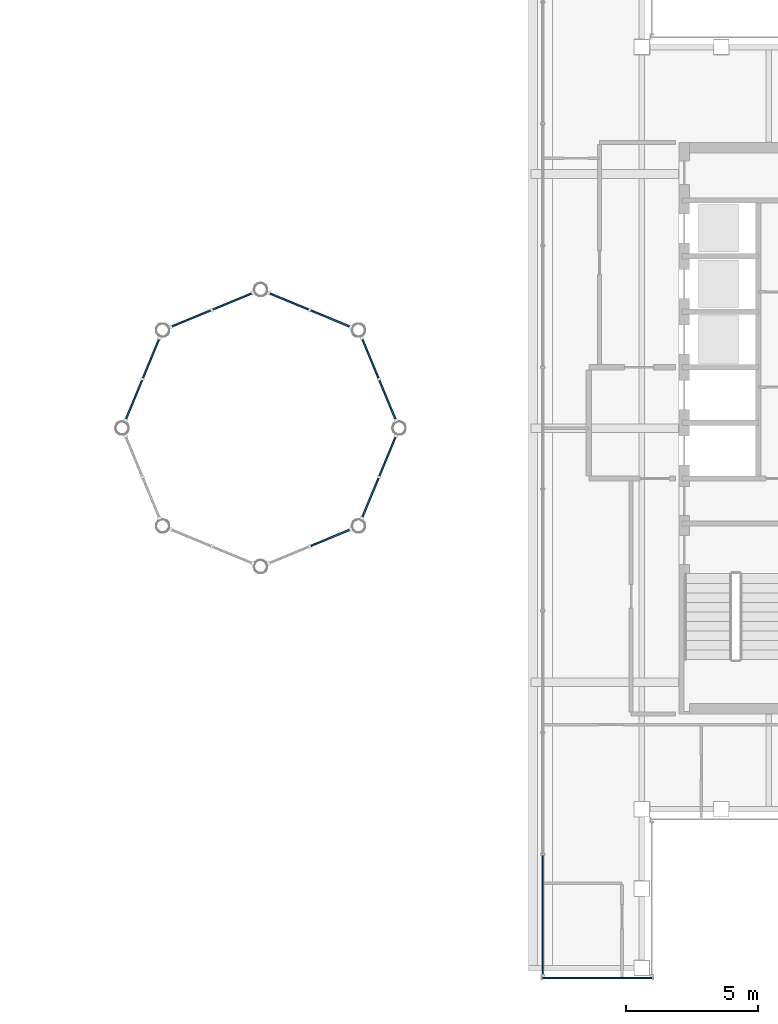
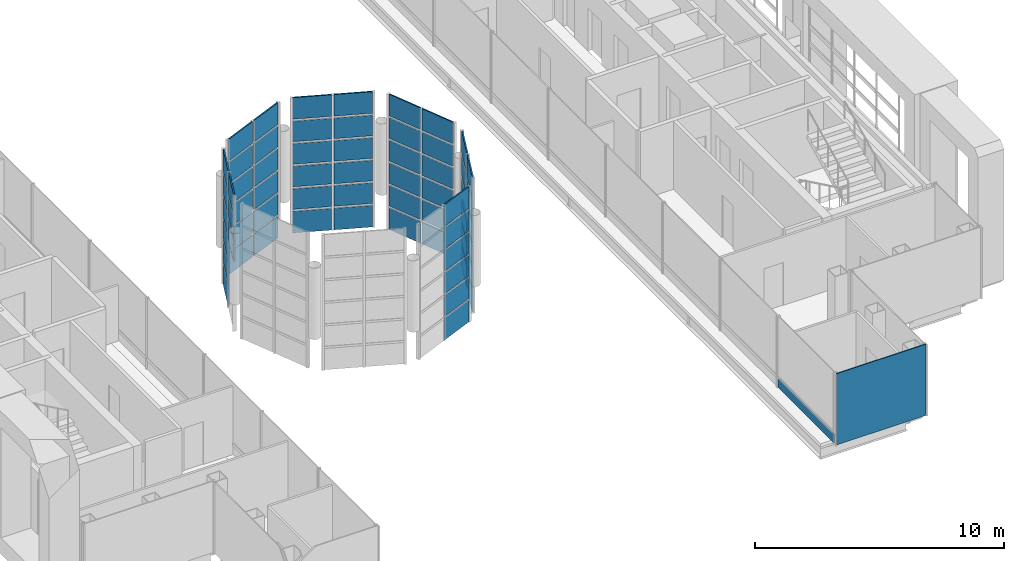
# One storey, part 11 of 21: 65 plates, 8 elements without a shape of their own.
"""IFC4 building model written with IfcOpenShell, lengths in metres."""

from ifc_helpers import new_model, si_unit, direction, frame, origin, origin_2d, place, context, subcontext, project, spatial, rectangle, extrude, material, layer, layer_set, type_object, element, aggregate, save


model = new_model("IFC4")

# Units and contexts
model_context = context("Model", 3, precision=1e-05, world=origin(), true_north=direction((0.0, 1.0)))
body_context = subcontext(model_context, "Body", "Model", "MODEL_VIEW")
ifc_project = project(units=[si_unit("LENGTHUNIT", "METRE"), si_unit("AREAUNIT", "SQUARE_METRE"), si_unit("VOLUMEUNIT", "CUBIC_METRE"), si_unit("PLANEANGLEUNIT", "RADIAN"), si_unit("MASSUNIT", "GRAM", prefix="KILO")], contexts=[model_context])

# Site, building, storey
site_placement = place(None, origin())
site = spatial("IfcSite", under=ifc_project, at=site_placement, CompositionType="ELEMENT")
building_placement = place(site_placement, origin())
building = spatial("IfcBuilding", under=site, at=building_placement, Name="Cobrizo Arcos Hotel Tower", CompositionType="ELEMENT")
storey_placement = place(building_placement, frame((0.0, 0.0, 283.0)))
storey = spatial("IfcBuildingStorey", under=building, at=storey_placement, Name="L75", CompositionType="ELEMENT", Elevation=283.0)

# Curtain wall, plate
ifc_material_1 = material(Name="Aluminium 6063-T6 anodised bronze", Category="aluminium")
curtain_wall_type_1 = type_object("IfcCurtainWallType", Name="CW-A guest facade", PredefinedType="NOTDEFINED", material=ifc_material_1)
curtain_wall_1_placement = place(storey_placement, origin())
curtain_wall_1 = element("IfcCurtainWall", 1, at=curtain_wall_1_placement, inside=storey, type_object=curtain_wall_type_1, Name="CW-A L75 S face", PredefinedType="NOTDEFINED")
ifc_material_2 = material(Name="Aluminium composite panel pale metal", Category="aluminium")
ifc_layer_1 = layer(ifc_material_2, 0.0400390625)
ifc_layer_set_1 = layer_set([ifc_layer_1], Name="CW-A spandrel panel")
plate_type_1 = type_object("IfcPlateType", Name="CW-A spandrel panel", PredefinedType="CURTAIN_PANEL", material=ifc_layer_set_1)
plate_1_placement = place(storey_placement, frame((12.712890625, -20.77490234375, 0.0), z_axis=(0.0, 0.0, 1.0), x_axis=(1.0, 0.0, 0.0)))
plate_1 = element("IfcPlate", 2, at=plate_1_placement, type_object=plate_type_1, Name="CW-A spandrel panel 2368", PredefinedType="CURTAIN_PANEL", context=body_context, shape_type="SweptSolid", body=[
    extrude(rectangle(XDim=4.154052734375, YDim=0.0400390625, at=origin_2d()), origin(), (0.0, 0.0, 1.0), 3.5),
])
aggregate(curtain_wall_1, [plate_1])

curtain_wall_type_2 = type_object("IfcCurtainWallType", Name="CW-C arch infill and crown glazing", PredefinedType="NOTDEFINED", material=ifc_material_1)
curtain_wall_2_placement = place(storey_placement, origin())
curtain_wall_2 = element("IfcCurtainWall", 3, at=curtain_wall_2_placement, inside=storey, type_object=curtain_wall_type_2, Name="CW-C L75 W face", PredefinedType="NOTDEFINED")
ifc_material_3 = material(Name="Glass clear laminated low-e", Category="glass")
ifc_layer_2 = layer(ifc_material_3, 0.0400390625)
ifc_layer_set_2 = layer_set([ifc_layer_2], Name="CW-C glass panel")
plate_type_2 = type_object("IfcPlateType", Name="CW-C glass panel", PredefinedType="CURTAIN_PANEL", material=ifc_layer_set_2)
plate_2_placement = place(storey_placement, frame((10.65087890625, -18.382568359375, 0.0), z_axis=(0.0, 0.0, 1.0), x_axis=(0.0, -1.0, 0.0)))
plate_2 = element("IfcPlate", 4, at=plate_2_placement, type_object=plate_type_2, Name="CW-C glass panel 2367", PredefinedType="CURTAIN_PANEL", context=body_context, shape_type="SweptSolid", body=[
    extrude(rectangle(XDim=4.4951171875, YDim=0.0400390625, at=origin_2d()), origin(), (0.0, 0.0, 1.0), 0.429931640625),
])
aggregate(curtain_wall_2, [plate_2])

# Curtain wall, plates
curtain_wall_type_3 = type_object("IfcCurtainWallType", Name="CW-D plant louvre wall", PredefinedType="NOTDEFINED", material=ifc_material_1)
curtain_wall_3_placement = place(storey_placement, origin())
curtain_wall_3 = element("IfcCurtainWall", 5, at=curtain_wall_3_placement, inside=storey, type_object=curtain_wall_type_3, Name="CW-D drum louvre wall t2-1", PredefinedType="NOTDEFINED")
ifc_layer_3 = layer(ifc_material_2, 0.06005859375)
ifc_layer_set_3 = layer_set([ifc_layer_3], Name="CW-D spandrel panel")
plate_type_3 = type_object("IfcPlateType", Name="CW-D spandrel panel", PredefinedType="CURTAIN_PANEL", material=ifc_layer_set_3)
plate_3_placement = place(storey_placement, frame((4.785400390625, 1.079345703125, -1.666748046875), z_axis=(0.0, 0.0, 1.0), x_axis=(-0.382683432365, 0.923879532511, 0.0)))
plate_3 = element("IfcPlate", 6, at=plate_3_placement, type_object=plate_type_3, Name="CW-D louvre panel 1-0", PredefinedType="CURTAIN_PANEL", context=body_context, shape_type="SweptSolid", body=[
    extrude(rectangle(XDim=1.568359375, YDim=0.06005859375, at=origin_2d()), origin(), (0.0, 0.0, 1.0), 1.0556640625),
])
plate_4_placement = place(storey_placement, frame((4.785400390625, 1.079345703125, -0.51123046875), z_axis=(0.0, 0.0, 1.0), x_axis=(-0.382683432365, 0.923879532511, 0.0)))
plate_4 = element("IfcPlate", 7, at=plate_4_placement, type_object=plate_type_3, Name="CW-D louvre panel 1-1", PredefinedType="CURTAIN_PANEL", context=body_context, shape_type="SweptSolid", body=[
    extrude(rectangle(XDim=1.568359375, YDim=0.06005859375, at=origin_2d()), origin(), (0.0, 0.0, 1.0), 1.005615234375),
])
plate_5_placement = place(storey_placement, frame((4.785400390625, 1.079345703125, 0.59423828125), z_axis=(0.0, 0.0, 1.0), x_axis=(-0.382683432365, 0.923879532511, 0.0)))
plate_5 = element("IfcPlate", 8, at=plate_5_placement, type_object=plate_type_3, Name="CW-D louvre panel 1-2", PredefinedType="CURTAIN_PANEL", context=body_context, shape_type="SweptSolid", body=[
    extrude(rectangle(XDim=1.568359375, YDim=0.06005859375, at=origin_2d()), origin(), (0.0, 0.0, 1.0), 1.005615234375),
])
plate_6_placement = place(storey_placement, frame((4.785400390625, 1.079345703125, 1.7001953125), z_axis=(0.0, 0.0, 1.0), x_axis=(-0.382683432365, 0.923879532511, 0.0)))
plate_6 = element("IfcPlate", 9, at=plate_6_placement, type_object=plate_type_3, Name="CW-D louvre panel 1-3", PredefinedType="CURTAIN_PANEL", context=body_context, shape_type="SweptSolid", body=[
    extrude(rectangle(XDim=1.568359375, YDim=0.06005859375, at=origin_2d()), origin(), (0.0, 0.0, 1.0), 1.005615234375),
])
plate_7_placement = place(storey_placement, frame((4.785400390625, 1.079345703125, 2.8056640625), z_axis=(0.0, 0.0, 1.0), x_axis=(-0.382683432365, 0.923879532511, 0.0)))
plate_7 = element("IfcPlate", 10, at=plate_7_placement, type_object=plate_type_3, Name="CW-D louvre panel 1-4", PredefinedType="CURTAIN_PANEL", context=body_context, shape_type="SweptSolid", body=[
    extrude(rectangle(XDim=1.568359375, YDim=0.06005859375, at=origin_2d()), origin(), (0.0, 0.0, 1.0), 1.005615234375),
])
plate_8_placement = place(storey_placement, frame((4.785400390625, 1.079345703125, 3.9111328125), z_axis=(0.0, 0.0, 1.0), x_axis=(-0.382683432365, 0.923879532511, 0.0)))
plate_8 = element("IfcPlate", 11, at=plate_8_placement, type_object=plate_type_3, Name="CW-D louvre panel 1-5", PredefinedType="CURTAIN_PANEL", context=body_context, shape_type="SweptSolid", body=[
    extrude(rectangle(XDim=1.568359375, YDim=0.06005859375, at=origin_2d()), origin(), (0.0, 0.0, 1.0), 1.0556640625),
])
plate_9_placement = place(storey_placement, frame((4.147216796875, 2.62060546875, -1.666748046875), z_axis=(0.0, 0.0, 1.0), x_axis=(-0.382683432365, 0.923879532511, 0.0)))
plate_9 = element("IfcPlate", 12, at=plate_9_placement, type_object=plate_type_3, Name="CW-D louvre panel 2-0", PredefinedType="CURTAIN_PANEL", context=body_context, shape_type="SweptSolid", body=[
    extrude(rectangle(XDim=1.568359375, YDim=0.06005859375, at=origin_2d()), origin(), (0.0, 0.0, 1.0), 1.0556640625),
])
plate_10_placement = place(storey_placement, frame((4.147216796875, 2.62060546875, -0.51123046875), z_axis=(0.0, 0.0, 1.0), x_axis=(-0.382683432365, 0.923879532511, 0.0)))
plate_10 = element("IfcPlate", 13, at=plate_10_placement, type_object=plate_type_3, Name="CW-D louvre panel 2-1", PredefinedType="CURTAIN_PANEL", context=body_context, shape_type="SweptSolid", body=[
    extrude(rectangle(XDim=1.568359375, YDim=0.06005859375, at=origin_2d()), origin(), (0.0, 0.0, 1.0), 1.005615234375),
])
plate_11_placement = place(storey_placement, frame((4.147216796875, 2.62060546875, 0.59423828125), z_axis=(0.0, 0.0, 1.0), x_axis=(-0.382683432365, 0.923879532511, 0.0)))
plate_11 = element("IfcPlate", 14, at=plate_11_placement, type_object=plate_type_3, Name="CW-D louvre panel 2-2", PredefinedType="CURTAIN_PANEL", context=body_context, shape_type="SweptSolid", body=[
    extrude(rectangle(XDim=1.568359375, YDim=0.06005859375, at=origin_2d()), origin(), (0.0, 0.0, 1.0), 1.005615234375),
])
plate_12_placement = place(storey_placement, frame((4.147216796875, 2.62060546875, 1.7001953125), z_axis=(0.0, 0.0, 1.0), x_axis=(-0.382683432365, 0.923879532511, 0.0)))
plate_12 = element("IfcPlate", 15, at=plate_12_placement, type_object=plate_type_3, Name="CW-D louvre panel 2-3", PredefinedType="CURTAIN_PANEL", context=body_context, shape_type="SweptSolid", body=[
    extrude(rectangle(XDim=1.568359375, YDim=0.06005859375, at=origin_2d()), origin(), (0.0, 0.0, 1.0), 1.005615234375),
])
plate_13_placement = place(storey_placement, frame((4.147216796875, 2.62060546875, 2.8056640625), z_axis=(0.0, 0.0, 1.0), x_axis=(-0.382683432365, 0.923879532511, 0.0)))
plate_13 = element("IfcPlate", 16, at=plate_13_placement, type_object=plate_type_3, Name="CW-D louvre panel 2-4", PredefinedType="CURTAIN_PANEL", context=body_context, shape_type="SweptSolid", body=[
    extrude(rectangle(XDim=1.568359375, YDim=0.06005859375, at=origin_2d()), origin(), (0.0, 0.0, 1.0), 1.005615234375),
])
plate_14_placement = place(storey_placement, frame((4.147216796875, 2.62060546875, 3.9111328125), z_axis=(0.0, 0.0, 1.0), x_axis=(-0.382683432365, 0.923879532511, 0.0)))
plate_14 = element("IfcPlate", 17, at=plate_14_placement, type_object=plate_type_3, Name="CW-D louvre panel 2-5", PredefinedType="CURTAIN_PANEL", context=body_context, shape_type="SweptSolid", body=[
    extrude(rectangle(XDim=1.568359375, YDim=0.06005859375, at=origin_2d()), origin(), (0.0, 0.0, 1.0), 1.0556640625),
])
aggregate(curtain_wall_3, [plate_3, plate_4, plate_5, plate_6, plate_7, plate_8, plate_9, plate_10, plate_11, plate_12, plate_13, plate_14])

curtain_wall_4_placement = place(storey_placement, origin())
curtain_wall_4 = element("IfcCurtainWall", 18, at=curtain_wall_4_placement, inside=storey, type_object=curtain_wall_type_3, Name="CW-D drum louvre wall t2-2", PredefinedType="NOTDEFINED")
plate_15_placement = place(storey_placement, frame((2.62060546875, 4.147216796875, -1.666748046875), z_axis=(0.0, 0.0, 1.0), x_axis=(-0.923879532511, 0.382683432365, 0.0)))
plate_15 = element("IfcPlate", 19, at=plate_15_placement, type_object=plate_type_3, Name="CW-D louvre panel 1-0", PredefinedType="CURTAIN_PANEL", context=body_context, shape_type="SweptSolid", body=[
    extrude(rectangle(XDim=1.568359375, YDim=0.06005859375, at=origin_2d()), origin(), (0.0, 0.0, 1.0), 1.0556640625),
])
plate_16_placement = place(storey_placement, frame((2.62060546875, 4.147216796875, -0.51123046875), z_axis=(0.0, 0.0, 1.0), x_axis=(-0.923879532511, 0.382683432365, 0.0)))
plate_16 = element("IfcPlate", 20, at=plate_16_placement, type_object=plate_type_3, Name="CW-D louvre panel 1-1", PredefinedType="CURTAIN_PANEL", context=body_context, shape_type="SweptSolid", body=[
    extrude(rectangle(XDim=1.568359375, YDim=0.06005859375, at=origin_2d()), origin(), (0.0, 0.0, 1.0), 1.005615234375),
])
plate_17_placement = place(storey_placement, frame((2.62060546875, 4.147216796875, 0.59423828125), z_axis=(0.0, 0.0, 1.0), x_axis=(-0.923879532511, 0.382683432365, 0.0)))
plate_17 = element("IfcPlate", 21, at=plate_17_placement, type_object=plate_type_3, Name="CW-D louvre panel 1-2", PredefinedType="CURTAIN_PANEL", context=body_context, shape_type="SweptSolid", body=[
    extrude(rectangle(XDim=1.568359375, YDim=0.06005859375, at=origin_2d()), origin(), (0.0, 0.0, 1.0), 1.005615234375),
])
plate_18_placement = place(storey_placement, frame((2.62060546875, 4.147216796875, 1.7001953125), z_axis=(0.0, 0.0, 1.0), x_axis=(-0.923879532511, 0.382683432365, 0.0)))
plate_18 = element("IfcPlate", 22, at=plate_18_placement, type_object=plate_type_3, Name="CW-D louvre panel 1-3", PredefinedType="CURTAIN_PANEL", context=body_context, shape_type="SweptSolid", body=[
    extrude(rectangle(XDim=1.568359375, YDim=0.06005859375, at=origin_2d()), origin(), (0.0, 0.0, 1.0), 1.005615234375),
])
plate_19_placement = place(storey_placement, frame((2.62060546875, 4.147216796875, 2.8056640625), z_axis=(0.0, 0.0, 1.0), x_axis=(-0.923879532511, 0.382683432365, 0.0)))
plate_19 = element("IfcPlate", 23, at=plate_19_placement, type_object=plate_type_3, Name="CW-D louvre panel 1-4", PredefinedType="CURTAIN_PANEL", context=body_context, shape_type="SweptSolid", body=[
    extrude(rectangle(XDim=1.568359375, YDim=0.06005859375, at=origin_2d()), origin(), (0.0, 0.0, 1.0), 1.005615234375),
])
plate_20_placement = place(storey_placement, frame((2.62060546875, 4.147216796875, 3.9111328125), z_axis=(0.0, 0.0, 1.0), x_axis=(-0.923879532511, 0.382683432365, 0.0)))
plate_20 = element("IfcPlate", 24, at=plate_20_placement, type_object=plate_type_3, Name="CW-D louvre panel 1-5", PredefinedType="CURTAIN_PANEL", context=body_context, shape_type="SweptSolid", body=[
    extrude(rectangle(XDim=1.568359375, YDim=0.06005859375, at=origin_2d()), origin(), (0.0, 0.0, 1.0), 1.0556640625),
])
plate_21_placement = place(storey_placement, frame((1.079345703125, 4.785400390625, -1.666748046875), z_axis=(0.0, 0.0, 1.0), x_axis=(-0.923879532511, 0.382683432365, 0.0)))
plate_21 = element("IfcPlate", 25, at=plate_21_placement, type_object=plate_type_3, Name="CW-D louvre panel 2-0", PredefinedType="CURTAIN_PANEL", context=body_context, shape_type="SweptSolid", body=[
    extrude(rectangle(XDim=1.568359375, YDim=0.06005859375, at=origin_2d()), origin(), (0.0, 0.0, 1.0), 1.0556640625),
])
plate_22_placement = place(storey_placement, frame((1.079345703125, 4.785400390625, -0.51123046875), z_axis=(0.0, 0.0, 1.0), x_axis=(-0.923879532511, 0.382683432365, 0.0)))
plate_22 = element("IfcPlate", 26, at=plate_22_placement, type_object=plate_type_3, Name="CW-D louvre panel 2-1", PredefinedType="CURTAIN_PANEL", context=body_context, shape_type="SweptSolid", body=[
    extrude(rectangle(XDim=1.568359375, YDim=0.06005859375, at=origin_2d()), origin(), (0.0, 0.0, 1.0), 1.005615234375),
])
plate_23_placement = place(storey_placement, frame((1.079345703125, 4.785400390625, 0.59423828125), z_axis=(0.0, 0.0, 1.0), x_axis=(-0.923879532511, 0.382683432365, 0.0)))
plate_23 = element("IfcPlate", 27, at=plate_23_placement, type_object=plate_type_3, Name="CW-D louvre panel 2-2", PredefinedType="CURTAIN_PANEL", context=body_context, shape_type="SweptSolid", body=[
    extrude(rectangle(XDim=1.568359375, YDim=0.06005859375, at=origin_2d()), origin(), (0.0, 0.0, 1.0), 1.005615234375),
])
plate_24_placement = place(storey_placement, frame((1.079345703125, 4.785400390625, 1.7001953125), z_axis=(0.0, 0.0, 1.0), x_axis=(-0.923879532511, 0.382683432365, 0.0)))
plate_24 = element("IfcPlate", 28, at=plate_24_placement, type_object=plate_type_3, Name="CW-D louvre panel 2-3", PredefinedType="CURTAIN_PANEL", context=body_context, shape_type="SweptSolid", body=[
    extrude(rectangle(XDim=1.568359375, YDim=0.06005859375, at=origin_2d()), origin(), (0.0, 0.0, 1.0), 1.005615234375),
])
plate_25_placement = place(storey_placement, frame((1.079345703125, 4.785400390625, 2.8056640625), z_axis=(0.0, 0.0, 1.0), x_axis=(-0.923879532511, 0.382683432365, 0.0)))
plate_25 = element("IfcPlate", 29, at=plate_25_placement, type_object=plate_type_3, Name="CW-D louvre panel 2-4", PredefinedType="CURTAIN_PANEL", context=body_context, shape_type="SweptSolid", body=[
    extrude(rectangle(XDim=1.568359375, YDim=0.06005859375, at=origin_2d()), origin(), (0.0, 0.0, 1.0), 1.005615234375),
])
plate_26_placement = place(storey_placement, frame((1.079345703125, 4.785400390625, 3.9111328125), z_axis=(0.0, 0.0, 1.0), x_axis=(-0.923879532511, 0.382683432365, 0.0)))
plate_26 = element("IfcPlate", 30, at=plate_26_placement, type_object=plate_type_3, Name="CW-D louvre panel 2-5", PredefinedType="CURTAIN_PANEL", context=body_context, shape_type="SweptSolid", body=[
    extrude(rectangle(XDim=1.568359375, YDim=0.06005859375, at=origin_2d()), origin(), (0.0, 0.0, 1.0), 1.0556640625),
])
aggregate(curtain_wall_4, [plate_15, plate_16, plate_17, plate_18, plate_19, plate_20, plate_21, plate_22, plate_23, plate_24, plate_25, plate_26])

curtain_wall_5_placement = place(storey_placement, origin())
curtain_wall_5 = element("IfcCurtainWall", 31, at=curtain_wall_5_placement, inside=storey, type_object=curtain_wall_type_3, Name="CW-D drum louvre wall t2-3", PredefinedType="NOTDEFINED")
plate_27_placement = place(storey_placement, frame((-1.079345703125, 4.785400390625, -1.666748046875), z_axis=(0.0, 0.0, 1.0), x_axis=(-0.923879532511, -0.382683432365, 0.0)))
plate_27 = element("IfcPlate", 32, at=plate_27_placement, type_object=plate_type_3, Name="CW-D louvre panel 1-0", PredefinedType="CURTAIN_PANEL", context=body_context, shape_type="SweptSolid", body=[
    extrude(rectangle(XDim=1.568359375, YDim=0.06005859375, at=origin_2d()), origin(), (0.0, 0.0, 1.0), 1.0556640625),
])
plate_28_placement = place(storey_placement, frame((-1.079345703125, 4.785400390625, -0.51123046875), z_axis=(0.0, 0.0, 1.0), x_axis=(-0.923879532511, -0.382683432365, 0.0)))
plate_28 = element("IfcPlate", 33, at=plate_28_placement, type_object=plate_type_3, Name="CW-D louvre panel 1-1", PredefinedType="CURTAIN_PANEL", context=body_context, shape_type="SweptSolid", body=[
    extrude(rectangle(XDim=1.568359375, YDim=0.06005859375, at=origin_2d()), origin(), (0.0, 0.0, 1.0), 1.005615234375),
])
plate_29_placement = place(storey_placement, frame((-1.079345703125, 4.785400390625, 0.59423828125), z_axis=(0.0, 0.0, 1.0), x_axis=(-0.923879532511, -0.382683432365, 0.0)))
plate_29 = element("IfcPlate", 34, at=plate_29_placement, type_object=plate_type_3, Name="CW-D louvre panel 1-2", PredefinedType="CURTAIN_PANEL", context=body_context, shape_type="SweptSolid", body=[
    extrude(rectangle(XDim=1.568359375, YDim=0.06005859375, at=origin_2d()), origin(), (0.0, 0.0, 1.0), 1.005615234375),
])
plate_30_placement = place(storey_placement, frame((-1.079345703125, 4.785400390625, 1.7001953125), z_axis=(0.0, 0.0, 1.0), x_axis=(-0.923879532511, -0.382683432365, 0.0)))
plate_30 = element("IfcPlate", 35, at=plate_30_placement, type_object=plate_type_3, Name="CW-D louvre panel 1-3", PredefinedType="CURTAIN_PANEL", context=body_context, shape_type="SweptSolid", body=[
    extrude(rectangle(XDim=1.568359375, YDim=0.06005859375, at=origin_2d()), origin(), (0.0, 0.0, 1.0), 1.005615234375),
])
plate_31_placement = place(storey_placement, frame((-1.079345703125, 4.785400390625, 2.8056640625), z_axis=(0.0, 0.0, 1.0), x_axis=(-0.923879532511, -0.382683432365, 0.0)))
plate_31 = element("IfcPlate", 36, at=plate_31_placement, type_object=plate_type_3, Name="CW-D louvre panel 1-4", PredefinedType="CURTAIN_PANEL", context=body_context, shape_type="SweptSolid", body=[
    extrude(rectangle(XDim=1.568359375, YDim=0.06005859375, at=origin_2d()), origin(), (0.0, 0.0, 1.0), 1.005615234375),
])
plate_32_placement = place(storey_placement, frame((-1.079345703125, 4.785400390625, 3.9111328125), z_axis=(0.0, 0.0, 1.0), x_axis=(-0.923879532511, -0.382683432365, 0.0)))
plate_32 = element("IfcPlate", 37, at=plate_32_placement, type_object=plate_type_3, Name="CW-D louvre panel 1-5", PredefinedType="CURTAIN_PANEL", context=body_context, shape_type="SweptSolid", body=[
    extrude(rectangle(XDim=1.568359375, YDim=0.06005859375, at=origin_2d()), origin(), (0.0, 0.0, 1.0), 1.0556640625),
])
plate_33_placement = place(storey_placement, frame((-2.62060546875, 4.147216796875, -1.666748046875), z_axis=(0.0, 0.0, 1.0), x_axis=(-0.923879532511, -0.382683432365, 0.0)))
plate_33 = element("IfcPlate", 38, at=plate_33_placement, type_object=plate_type_3, Name="CW-D louvre panel 2-0", PredefinedType="CURTAIN_PANEL", context=body_context, shape_type="SweptSolid", body=[
    extrude(rectangle(XDim=1.568359375, YDim=0.06005859375, at=origin_2d()), origin(), (0.0, 0.0, 1.0), 1.0556640625),
])
plate_34_placement = place(storey_placement, frame((-2.62060546875, 4.147216796875, -0.51123046875), z_axis=(0.0, 0.0, 1.0), x_axis=(-0.923879532511, -0.382683432365, 0.0)))
plate_34 = element("IfcPlate", 39, at=plate_34_placement, type_object=plate_type_3, Name="CW-D louvre panel 2-1", PredefinedType="CURTAIN_PANEL", context=body_context, shape_type="SweptSolid", body=[
    extrude(rectangle(XDim=1.568359375, YDim=0.06005859375, at=origin_2d()), origin(), (0.0, 0.0, 1.0), 1.005615234375),
])
plate_35_placement = place(storey_placement, frame((-2.62060546875, 4.147216796875, 0.59423828125), z_axis=(0.0, 0.0, 1.0), x_axis=(-0.923879532511, -0.382683432365, 0.0)))
plate_35 = element("IfcPlate", 40, at=plate_35_placement, type_object=plate_type_3, Name="CW-D louvre panel 2-2", PredefinedType="CURTAIN_PANEL", context=body_context, shape_type="SweptSolid", body=[
    extrude(rectangle(XDim=1.568359375, YDim=0.06005859375, at=origin_2d()), origin(), (0.0, 0.0, 1.0), 1.005615234375),
])
plate_36_placement = place(storey_placement, frame((-2.62060546875, 4.147216796875, 1.7001953125), z_axis=(0.0, 0.0, 1.0), x_axis=(-0.923879532511, -0.382683432365, 0.0)))
plate_36 = element("IfcPlate", 41, at=plate_36_placement, type_object=plate_type_3, Name="CW-D louvre panel 2-3", PredefinedType="CURTAIN_PANEL", context=body_context, shape_type="SweptSolid", body=[
    extrude(rectangle(XDim=1.568359375, YDim=0.06005859375, at=origin_2d()), origin(), (0.0, 0.0, 1.0), 1.005615234375),
])
plate_37_placement = place(storey_placement, frame((-2.62060546875, 4.147216796875, 2.8056640625), z_axis=(0.0, 0.0, 1.0), x_axis=(-0.923879532511, -0.382683432365, 0.0)))
plate_37 = element("IfcPlate", 42, at=plate_37_placement, type_object=plate_type_3, Name="CW-D louvre panel 2-4", PredefinedType="CURTAIN_PANEL", context=body_context, shape_type="SweptSolid", body=[
    extrude(rectangle(XDim=1.568359375, YDim=0.06005859375, at=origin_2d()), origin(), (0.0, 0.0, 1.0), 1.005615234375),
])
plate_38_placement = place(storey_placement, frame((-2.62060546875, 4.147216796875, 3.9111328125), z_axis=(0.0, 0.0, 1.0), x_axis=(-0.923879532511, -0.382683432365, 0.0)))
plate_38 = element("IfcPlate", 43, at=plate_38_placement, type_object=plate_type_3, Name="CW-D louvre panel 2-5", PredefinedType="CURTAIN_PANEL", context=body_context, shape_type="SweptSolid", body=[
    extrude(rectangle(XDim=1.568359375, YDim=0.06005859375, at=origin_2d()), origin(), (0.0, 0.0, 1.0), 1.0556640625),
])
aggregate(curtain_wall_5, [plate_27, plate_28, plate_29, plate_30, plate_31, plate_32, plate_33, plate_34, plate_35, plate_36, plate_37, plate_38])

curtain_wall_6_placement = place(storey_placement, origin())
curtain_wall_6 = element("IfcCurtainWall", 44, at=curtain_wall_6_placement, inside=storey, type_object=curtain_wall_type_3, Name="CW-D drum louvre wall t2-4", PredefinedType="NOTDEFINED")
plate_39_placement = place(storey_placement, frame((-4.147216796875, 2.62060546875, -1.666748046875), z_axis=(0.0, 0.0, 1.0), x_axis=(-0.382683432365, -0.923879532511, 0.0)))
plate_39 = element("IfcPlate", 45, at=plate_39_placement, type_object=plate_type_3, Name="CW-D louvre panel 1-0", PredefinedType="CURTAIN_PANEL", context=body_context, shape_type="SweptSolid", body=[
    extrude(rectangle(XDim=1.568359375, YDim=0.06005859375, at=origin_2d()), origin(), (0.0, 0.0, 1.0), 1.0556640625),
])
plate_40_placement = place(storey_placement, frame((-4.147216796875, 2.62060546875, -0.51123046875), z_axis=(0.0, 0.0, 1.0), x_axis=(-0.382683432365, -0.923879532511, 0.0)))
plate_40 = element("IfcPlate", 46, at=plate_40_placement, type_object=plate_type_3, Name="CW-D louvre panel 1-1", PredefinedType="CURTAIN_PANEL", context=body_context, shape_type="SweptSolid", body=[
    extrude(rectangle(XDim=1.568359375, YDim=0.06005859375, at=origin_2d()), origin(), (0.0, 0.0, 1.0), 1.005615234375),
])
plate_41_placement = place(storey_placement, frame((-4.147216796875, 2.62060546875, 0.59423828125), z_axis=(0.0, 0.0, 1.0), x_axis=(-0.382683432365, -0.923879532511, 0.0)))
plate_41 = element("IfcPlate", 47, at=plate_41_placement, type_object=plate_type_3, Name="CW-D louvre panel 1-2", PredefinedType="CURTAIN_PANEL", context=body_context, shape_type="SweptSolid", body=[
    extrude(rectangle(XDim=1.568359375, YDim=0.06005859375, at=origin_2d()), origin(), (0.0, 0.0, 1.0), 1.005615234375),
])
plate_42_placement = place(storey_placement, frame((-4.147216796875, 2.62060546875, 1.7001953125), z_axis=(0.0, 0.0, 1.0), x_axis=(-0.382683432365, -0.923879532511, 0.0)))
plate_42 = element("IfcPlate", 48, at=plate_42_placement, type_object=plate_type_3, Name="CW-D louvre panel 1-3", PredefinedType="CURTAIN_PANEL", context=body_context, shape_type="SweptSolid", body=[
    extrude(rectangle(XDim=1.568359375, YDim=0.06005859375, at=origin_2d()), origin(), (0.0, 0.0, 1.0), 1.005615234375),
])
plate_43_placement = place(storey_placement, frame((-4.147216796875, 2.62060546875, 2.8056640625), z_axis=(0.0, 0.0, 1.0), x_axis=(-0.382683432365, -0.923879532511, 0.0)))
plate_43 = element("IfcPlate", 49, at=plate_43_placement, type_object=plate_type_3, Name="CW-D louvre panel 1-4", PredefinedType="CURTAIN_PANEL", context=body_context, shape_type="SweptSolid", body=[
    extrude(rectangle(XDim=1.568359375, YDim=0.06005859375, at=origin_2d()), origin(), (0.0, 0.0, 1.0), 1.005615234375),
])
plate_44_placement = place(storey_placement, frame((-4.147216796875, 2.62060546875, 3.9111328125), z_axis=(0.0, 0.0, 1.0), x_axis=(-0.382683432365, -0.923879532511, 0.0)))
plate_44 = element("IfcPlate", 50, at=plate_44_placement, type_object=plate_type_3, Name="CW-D louvre panel 1-5", PredefinedType="CURTAIN_PANEL", context=body_context, shape_type="SweptSolid", body=[
    extrude(rectangle(XDim=1.568359375, YDim=0.06005859375, at=origin_2d()), origin(), (0.0, 0.0, 1.0), 1.0556640625),
])
plate_45_placement = place(storey_placement, frame((-4.785400390625, 1.079345703125, 1.7001953125), z_axis=(0.0, 0.0, 1.0), x_axis=(-0.382683432365, -0.923879532511, 0.0)))
plate_45 = element("IfcPlate", 51, at=plate_45_placement, type_object=plate_type_3, Name="CW-D louvre panel 2-3", PredefinedType="CURTAIN_PANEL", context=body_context, shape_type="SweptSolid", body=[
    extrude(rectangle(XDim=1.568359375, YDim=0.06005859375, at=origin_2d()), origin(), (0.0, 0.0, 1.0), 1.005615234375),
])
plate_46_placement = place(storey_placement, frame((-4.785400390625, 1.079345703125, 2.8056640625), z_axis=(0.0, 0.0, 1.0), x_axis=(-0.382683432365, -0.923879532511, 0.0)))
plate_46 = element("IfcPlate", 52, at=plate_46_placement, type_object=plate_type_3, Name="CW-D louvre panel 2-4", PredefinedType="CURTAIN_PANEL", context=body_context, shape_type="SweptSolid", body=[
    extrude(rectangle(XDim=1.568359375, YDim=0.06005859375, at=origin_2d()), origin(), (0.0, 0.0, 1.0), 1.005615234375),
])
plate_47_placement = place(storey_placement, frame((-4.785400390625, 1.079345703125, 3.9111328125), z_axis=(0.0, 0.0, 1.0), x_axis=(-0.382683432365, -0.923879532511, 0.0)))
plate_47 = element("IfcPlate", 53, at=plate_47_placement, type_object=plate_type_3, Name="CW-D louvre panel 2-5", PredefinedType="CURTAIN_PANEL", context=body_context, shape_type="SweptSolid", body=[
    extrude(rectangle(XDim=1.568359375, YDim=0.06005859375, at=origin_2d()), origin(), (0.0, 0.0, 1.0), 1.0556640625),
])
aggregate(curtain_wall_6, [plate_39, plate_40, plate_41, plate_42, plate_43, plate_44, plate_45, plate_46, plate_47])

curtain_wall_7_placement = place(storey_placement, origin())
curtain_wall_7 = element("IfcCurtainWall", 54, at=curtain_wall_7_placement, inside=storey, type_object=curtain_wall_type_3, Name="CW-D drum louvre wall t2-7", PredefinedType="NOTDEFINED")
plate_48_placement = place(storey_placement, frame((2.62060546875, -4.147216796875, -1.666748046875), z_axis=(0.0, 0.0, 1.0), x_axis=(0.923879532511, 0.382683432365, 0.0)))
plate_48 = element("IfcPlate", 55, at=plate_48_placement, type_object=plate_type_3, Name="CW-D louvre panel 2-0", PredefinedType="CURTAIN_PANEL", context=body_context, shape_type="SweptSolid", body=[
    extrude(rectangle(XDim=1.568359375, YDim=0.06005859375, at=origin_2d()), origin(), (0.0, 0.0, 1.0), 1.0556640625),
])
plate_49_placement = place(storey_placement, frame((2.62060546875, -4.147216796875, -0.51123046875), z_axis=(0.0, 0.0, 1.0), x_axis=(0.923879532511, 0.382683432365, 0.0)))
plate_49 = element("IfcPlate", 56, at=plate_49_placement, type_object=plate_type_3, Name="CW-D louvre panel 2-1", PredefinedType="CURTAIN_PANEL", context=body_context, shape_type="SweptSolid", body=[
    extrude(rectangle(XDim=1.568359375, YDim=0.06005859375, at=origin_2d()), origin(), (0.0, 0.0, 1.0), 1.005615234375),
])
plate_50_placement = place(storey_placement, frame((2.62060546875, -4.147216796875, 0.59423828125), z_axis=(0.0, 0.0, 1.0), x_axis=(0.923879532511, 0.382683432365, 0.0)))
plate_50 = element("IfcPlate", 57, at=plate_50_placement, type_object=plate_type_3, Name="CW-D louvre panel 2-2", PredefinedType="CURTAIN_PANEL", context=body_context, shape_type="SweptSolid", body=[
    extrude(rectangle(XDim=1.568359375, YDim=0.06005859375, at=origin_2d()), origin(), (0.0, 0.0, 1.0), 1.005615234375),
])
plate_51_placement = place(storey_placement, frame((2.62060546875, -4.147216796875, 1.7001953125), z_axis=(0.0, 0.0, 1.0), x_axis=(0.923879532511, 0.382683432365, 0.0)))
plate_51 = element("IfcPlate", 58, at=plate_51_placement, type_object=plate_type_3, Name="CW-D louvre panel 2-3", PredefinedType="CURTAIN_PANEL", context=body_context, shape_type="SweptSolid", body=[
    extrude(rectangle(XDim=1.568359375, YDim=0.06005859375, at=origin_2d()), origin(), (0.0, 0.0, 1.0), 1.005615234375),
])
plate_52_placement = place(storey_placement, frame((2.62060546875, -4.147216796875, 2.8056640625), z_axis=(0.0, 0.0, 1.0), x_axis=(0.923879532511, 0.382683432365, 0.0)))
plate_52 = element("IfcPlate", 59, at=plate_52_placement, type_object=plate_type_3, Name="CW-D louvre panel 2-4", PredefinedType="CURTAIN_PANEL", context=body_context, shape_type="SweptSolid", body=[
    extrude(rectangle(XDim=1.568359375, YDim=0.06005859375, at=origin_2d()), origin(), (0.0, 0.0, 1.0), 1.005615234375),
])
plate_53_placement = place(storey_placement, frame((2.62060546875, -4.147216796875, 3.9111328125), z_axis=(0.0, 0.0, 1.0), x_axis=(0.923879532511, 0.382683432365, 0.0)))
plate_53 = element("IfcPlate", 60, at=plate_53_placement, type_object=plate_type_3, Name="CW-D louvre panel 2-5", PredefinedType="CURTAIN_PANEL", context=body_context, shape_type="SweptSolid", body=[
    extrude(rectangle(XDim=1.568359375, YDim=0.06005859375, at=origin_2d()), origin(), (0.0, 0.0, 1.0), 1.0556640625),
])
aggregate(curtain_wall_7, [plate_48, plate_49, plate_50, plate_51, plate_52, plate_53])

curtain_wall_8_placement = place(storey_placement, origin())
curtain_wall_8 = element("IfcCurtainWall", 61, at=curtain_wall_8_placement, inside=storey, type_object=curtain_wall_type_3, Name="CW-D drum louvre wall t2-8", PredefinedType="NOTDEFINED")
plate_54_placement = place(storey_placement, frame((4.147216796875, -2.62060546875, -1.666748046875), z_axis=(0.0, 0.0, 1.0), x_axis=(0.382683432365, 0.923879532511, 0.0)))
plate_54 = element("IfcPlate", 62, at=plate_54_placement, type_object=plate_type_3, Name="CW-D louvre panel 1-0", PredefinedType="CURTAIN_PANEL", context=body_context, shape_type="SweptSolid", body=[
    extrude(rectangle(XDim=1.568359375, YDim=0.06005859375, at=origin_2d()), origin(), (0.0, 0.0, 1.0), 1.0556640625),
])
plate_55_placement = place(storey_placement, frame((4.147216796875, -2.62060546875, -0.51123046875), z_axis=(0.0, 0.0, 1.0), x_axis=(0.382683432365, 0.923879532511, 0.0)))
plate_55 = element("IfcPlate", 63, at=plate_55_placement, type_object=plate_type_3, Name="CW-D louvre panel 1-1", PredefinedType="CURTAIN_PANEL", context=body_context, shape_type="SweptSolid", body=[
    extrude(rectangle(XDim=1.568359375, YDim=0.06005859375, at=origin_2d()), origin(), (0.0, 0.0, 1.0), 1.005615234375),
])
plate_56_placement = place(storey_placement, frame((4.147216796875, -2.62060546875, 0.59423828125), z_axis=(0.0, 0.0, 1.0), x_axis=(0.382683432365, 0.923879532511, 0.0)))
plate_56 = element("IfcPlate", 64, at=plate_56_placement, type_object=plate_type_3, Name="CW-D louvre panel 1-2", PredefinedType="CURTAIN_PANEL", context=body_context, shape_type="SweptSolid", body=[
    extrude(rectangle(XDim=1.568359375, YDim=0.06005859375, at=origin_2d()), origin(), (0.0, 0.0, 1.0), 1.005615234375),
])
plate_57_placement = place(storey_placement, frame((4.147216796875, -2.62060546875, 1.7001953125), z_axis=(0.0, 0.0, 1.0), x_axis=(0.382683432365, 0.923879532511, 0.0)))
plate_57 = element("IfcPlate", 65, at=plate_57_placement, type_object=plate_type_3, Name="CW-D louvre panel 1-3", PredefinedType="CURTAIN_PANEL", context=body_context, shape_type="SweptSolid", body=[
    extrude(rectangle(XDim=1.568359375, YDim=0.06005859375, at=origin_2d()), origin(), (0.0, 0.0, 1.0), 1.005615234375),
])
plate_58_placement = place(storey_placement, frame((4.147216796875, -2.62060546875, 2.8056640625), z_axis=(0.0, 0.0, 1.0), x_axis=(0.382683432365, 0.923879532511, 0.0)))
plate_58 = element("IfcPlate", 66, at=plate_58_placement, type_object=plate_type_3, Name="CW-D louvre panel 1-4", PredefinedType="CURTAIN_PANEL", context=body_context, shape_type="SweptSolid", body=[
    extrude(rectangle(XDim=1.568359375, YDim=0.06005859375, at=origin_2d()), origin(), (0.0, 0.0, 1.0), 1.005615234375),
])
plate_59_placement = place(storey_placement, frame((4.147216796875, -2.62060546875, 3.9111328125), z_axis=(0.0, 0.0, 1.0), x_axis=(0.382683432365, 0.923879532511, 0.0)))
plate_59 = element("IfcPlate", 67, at=plate_59_placement, type_object=plate_type_3, Name="CW-D louvre panel 1-5", PredefinedType="CURTAIN_PANEL", context=body_context, shape_type="SweptSolid", body=[
    extrude(rectangle(XDim=1.568359375, YDim=0.06005859375, at=origin_2d()), origin(), (0.0, 0.0, 1.0), 1.0556640625),
])
plate_60_placement = place(storey_placement, frame((4.785400390625, -1.079345703125, -1.666748046875), z_axis=(0.0, 0.0, 1.0), x_axis=(0.382683432365, 0.923879532511, 0.0)))
plate_60 = element("IfcPlate", 68, at=plate_60_placement, type_object=plate_type_3, Name="CW-D louvre panel 2-0", PredefinedType="CURTAIN_PANEL", context=body_context, shape_type="SweptSolid", body=[
    extrude(rectangle(XDim=1.568359375, YDim=0.06005859375, at=origin_2d()), origin(), (0.0, 0.0, 1.0), 1.0556640625),
])
plate_61_placement = place(storey_placement, frame((4.785400390625, -1.079345703125, -0.51123046875), z_axis=(0.0, 0.0, 1.0), x_axis=(0.382683432365, 0.923879532511, 0.0)))
plate_61 = element("IfcPlate", 69, at=plate_61_placement, type_object=plate_type_3, Name="CW-D louvre panel 2-1", PredefinedType="CURTAIN_PANEL", context=body_context, shape_type="SweptSolid", body=[
    extrude(rectangle(XDim=1.568359375, YDim=0.06005859375, at=origin_2d()), origin(), (0.0, 0.0, 1.0), 1.005615234375),
])
plate_62_placement = place(storey_placement, frame((4.785400390625, -1.079345703125, 0.59423828125), z_axis=(0.0, 0.0, 1.0), x_axis=(0.382683432365, 0.923879532511, 0.0)))
plate_62 = element("IfcPlate", 70, at=plate_62_placement, type_object=plate_type_3, Name="CW-D louvre panel 2-2", PredefinedType="CURTAIN_PANEL", context=body_context, shape_type="SweptSolid", body=[
    extrude(rectangle(XDim=1.568359375, YDim=0.06005859375, at=origin_2d()), origin(), (0.0, 0.0, 1.0), 1.005615234375),
])
plate_63_placement = place(storey_placement, frame((4.785400390625, -1.079345703125, 1.7001953125), z_axis=(0.0, 0.0, 1.0), x_axis=(0.382683432365, 0.923879532511, 0.0)))
plate_63 = element("IfcPlate", 71, at=plate_63_placement, type_object=plate_type_3, Name="CW-D louvre panel 2-3", PredefinedType="CURTAIN_PANEL", context=body_context, shape_type="SweptSolid", body=[
    extrude(rectangle(XDim=1.568359375, YDim=0.06005859375, at=origin_2d()), origin(), (0.0, 0.0, 1.0), 1.005615234375),
])
plate_64_placement = place(storey_placement, frame((4.785400390625, -1.079345703125, 2.8056640625), z_axis=(0.0, 0.0, 1.0), x_axis=(0.382683432365, 0.923879532511, 0.0)))
plate_64 = element("IfcPlate", 72, at=plate_64_placement, type_object=plate_type_3, Name="CW-D louvre panel 2-4", PredefinedType="CURTAIN_PANEL", context=body_context, shape_type="SweptSolid", body=[
    extrude(rectangle(XDim=1.568359375, YDim=0.06005859375, at=origin_2d()), origin(), (0.0, 0.0, 1.0), 1.005615234375),
])
plate_65_placement = place(storey_placement, frame((4.785400390625, -1.079345703125, 3.9111328125), z_axis=(0.0, 0.0, 1.0), x_axis=(0.382683432365, 0.923879532511, 0.0)))
plate_65 = element("IfcPlate", 73, at=plate_65_placement, type_object=plate_type_3, Name="CW-D louvre panel 2-5", PredefinedType="CURTAIN_PANEL", context=body_context, shape_type="SweptSolid", body=[
    extrude(rectangle(XDim=1.568359375, YDim=0.06005859375, at=origin_2d()), origin(), (0.0, 0.0, 1.0), 1.0556640625),
])
aggregate(curtain_wall_8, [plate_54, plate_55, plate_56, plate_57, plate_58, plate_59, plate_60, plate_61, plate_62, plate_63, plate_64, plate_65])

save(model, "model.ifc")
